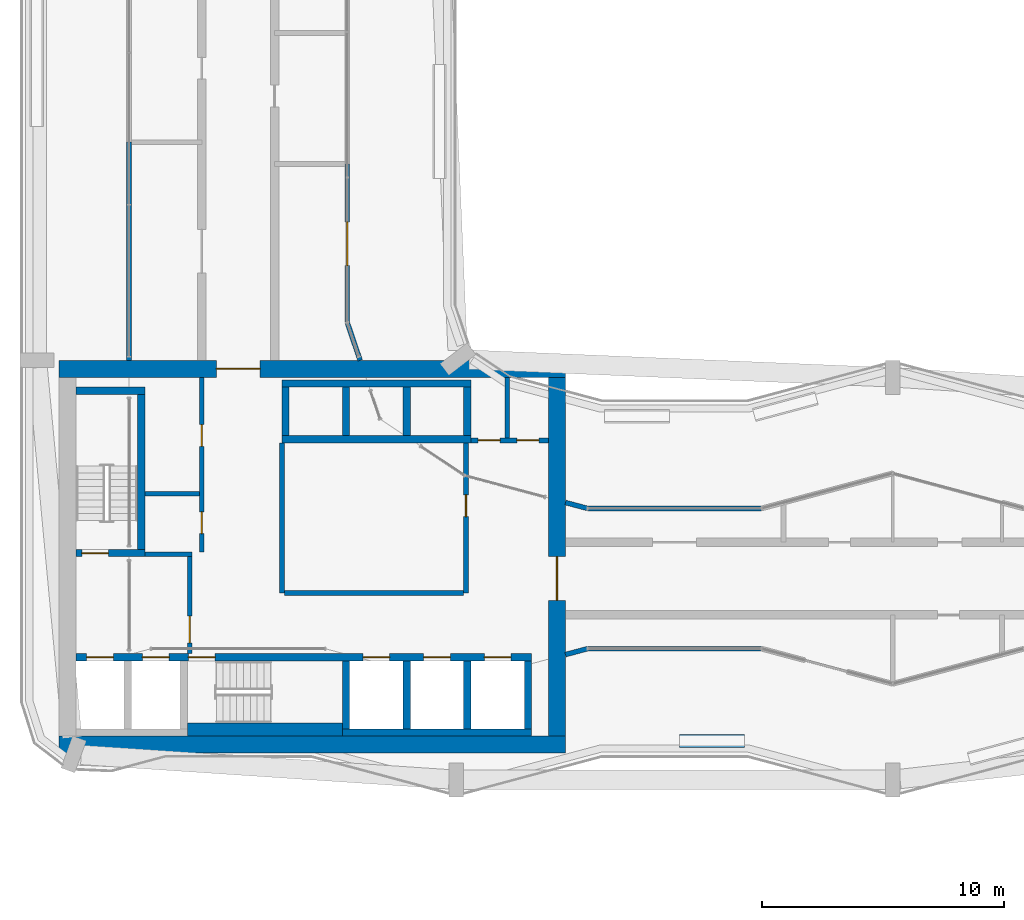
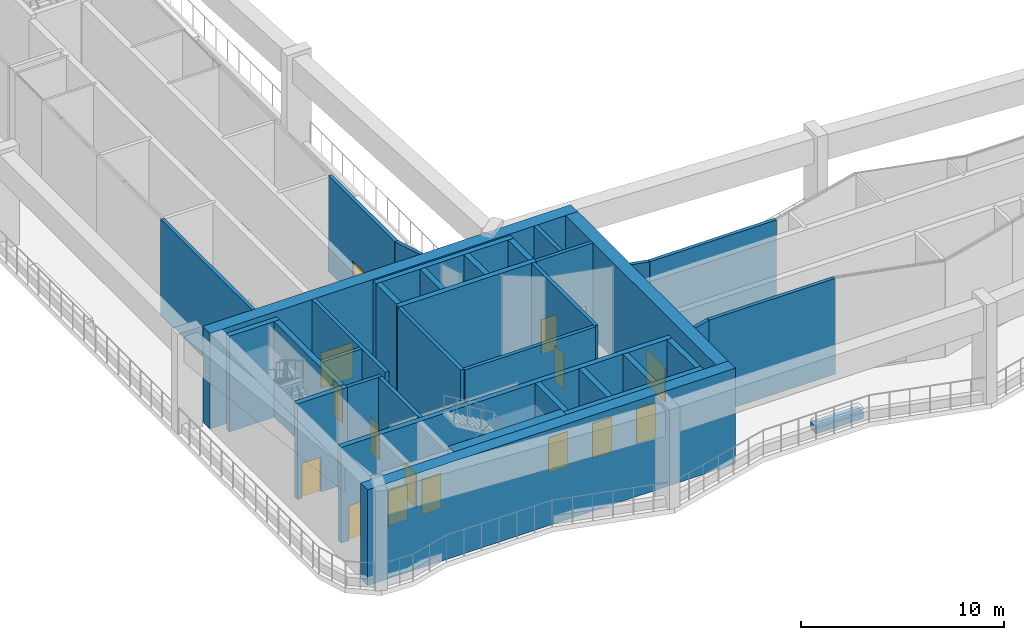
# One storey, part 14 of 24: 36 walls, 16 doors, 16 openings.
"""IFC4 building model written with IfcOpenShell, lengths in metres."""

from ifc_helpers import new_model, si_unit, direction, frame, frame_2d, origin, place, context, subcontext, project, spatial, rectangle, extrude, material, layer, layer_set, type_object, element, fill, save


model = new_model("IFC4")

# Units and contexts
model_context = context("Model", 3, precision=1e-05, world=origin(), true_north=direction((0.0, 1.0)))
body_context = subcontext(model_context, "Body", "Model", "MODEL_VIEW")
ifc_project = project(units=[si_unit("LENGTHUNIT", "METRE"), si_unit("AREAUNIT", "SQUARE_METRE"), si_unit("VOLUMEUNIT", "CUBIC_METRE"), si_unit("PLANEANGLEUNIT", "RADIAN"), si_unit("MASSUNIT", "GRAM", prefix="KILO")], contexts=[model_context])

# Site, building, storey
site_placement = place(None, origin())
site = spatial("IfcSite", under=ifc_project, at=site_placement, CompositionType="ELEMENT")
building_placement = place(site_placement, origin())
building = spatial("IfcBuilding", under=site, at=building_placement, Name="Plateau Cross Towers", CompositionType="ELEMENT")
storey_placement = place(building_placement, frame((0.0, 0.0, 72.300048828125)))
storey = spatial("IfcBuildingStorey", under=building, at=storey_placement, Name="L18", CompositionType="ELEMENT", Elevation=72.300048828125)

# Wall, opening, door
ifc_material_1 = material(Name="Concrete block, plastered both sides", Category="concrete")
ifc_layer_1 = layer(ifc_material_1, 0.199951171875)
ifc_layer_set_1 = layer_set([ifc_layer_1], Name="Concrete block, plastered both sides")
wall_type_1 = type_object("IfcWallType", Name="Core partition 200", PredefinedType="PARTITIONING", material=ifc_layer_set_1)
wall_1_placement = place(storey_placement, frame((7.0, 5.89990234375, 0.0), z_axis=(0.0, 0.0, 1.0), x_axis=(0.0, 1.0, 0.0)))
wall_1 = element("IfcWall", 1, at=wall_1_placement, inside=storey, type_object=wall_type_1, Name="Core partition", PredefinedType="PARTITIONING", context=body_context, shape_type="SweptSolid", body=[
    extrude(rectangle(XDim=4.0, YDim=0.199951171875, at=frame_2d((2.0, 0.0))), origin(), (0.0, 0.0, 1.0), 5.75),
])
opening_1_placement = place(wall_1_placement, frame((0.449951171875, 0.0, 0.0)))
opening_1 = element("IfcOpeningElement", 2, at=opening_1_placement, cuts=wall_1, Name="Opening FFD", PredefinedType="OPENING", context=body_context, shape_type="SweptSolid", body=[
    extrude(rectangle(XDim=1.10009765625, YDim=2.10009765625, at=frame_2d((0.550048828125, 1.050048828125))), frame((0.0, 0.10986328125, 0.0), z_axis=(0.0, -1.0, 0.0), x_axis=(1.0, 0.0, 0.0)), (0.0, 0.0, 1.0), 0.219970703125),
])
ifc_material_2 = material(Name="Steel, fire-resisting leaf", Category="steel")
door_type_1 = type_object("IfcDoorType", Name="Firefighting lobby door 1100", OperationType="NOTDEFINED", PredefinedType="DOOR", material=ifc_material_2)
door_1_placement = place(opening_1_placement, origin())
door_1 = element("IfcDoor", 3, at=door_1_placement, inside=storey, type_object=door_type_1, Name="Firefighting lobby door FFD", OperationType="SINGLE_SWING_LEFT", OverallHeight=2.10009765625, OverallWidth=1.10009765625, PredefinedType="DOOR", context=body_context, shape_type="SweptSolid", body=[
    extrude(rectangle(XDim=1.10009765625, YDim=2.10009765625, at=frame_2d((0.550048828125, 1.050048828125))), frame((0.0, 0.02490234375, 0.0), z_axis=(0.0, -1.0, 0.0), x_axis=(1.0, 0.0, 0.0)), (0.0, 0.0, 1.0), 0.050048828125),
])
fill(opening_1, door_1)

# Walls
wall_2_placement = place(storey_placement, frame((5.14990234375, 10.0, 0.0), z_axis=(0.0, 0.0, 1.0), x_axis=(1.0, 0.0, 0.0)))
element("IfcWall", 4, at=wall_2_placement, inside=storey, type_object=wall_type_1, Name="Core partition", PredefinedType="PARTITIONING", context=body_context, shape_type="SweptSolid", body=[
    extrude(rectangle(XDim=1.9501953125, YDim=0.199951171875, at=frame_2d((0.97509765625, 0.0))), origin(), (0.0, 0.0, 1.0), 5.75),
])
wall_3_placement = place(storey_placement, frame((10.800048828125, 8.39990234375, 0.0), z_axis=(0.0, 0.0, 1.0), x_axis=(0.0, 1.0, 0.0)))
element("IfcWall", 5, at=wall_3_placement, inside=storey, type_object=wall_type_1, Name="Core partition", PredefinedType="PARTITIONING", context=body_context, shape_type="SweptSolid", body=[
    extrude(rectangle(XDim=6.2001953125, YDim=0.199951171875, at=frame_2d((3.10009765625, 0.0))), origin(), (0.0, 0.0, 1.0), 5.75),
])
wall_4_placement = place(storey_placement, frame((10.89990234375, 8.39990234375, 0.0), z_axis=(0.0, 0.0, 1.0), x_axis=(1.0, 0.0, 0.0)))
element("IfcWall", 6, at=wall_4_placement, inside=storey, type_object=wall_type_1, Name="Core partition", PredefinedType="PARTITIONING", context=body_context, shape_type="SweptSolid", body=[
    extrude(rectangle(XDim=7.400146484375, YDim=0.199951171875, at=frame_2d((3.7001953125, 0.0))), origin(), (0.0, 0.0, 1.0), 5.75),
])

# Wall, opening, door
wall_5_placement = place(storey_placement, frame((18.39990234375, 8.39990234375, 0.0), z_axis=(0.0, 0.0, 1.0), x_axis=(0.0, 1.0, 0.0)))
wall_5 = element("IfcWall", 7, at=wall_5_placement, inside=storey, type_object=wall_type_1, Name="Core partition", PredefinedType="PARTITIONING", context=body_context, shape_type="SweptSolid", body=[
    extrude(rectangle(XDim=6.2001953125, YDim=0.199951171875, at=frame_2d((3.10009765625, 0.0))), origin(), (0.0, 0.0, 1.0), 5.75),
])
opening_2_placement = place(wall_5_placement, frame((3.14990234375, 0.0, 0.0)))
opening_2 = element("IfcOpeningElement", 8, at=opening_2_placement, cuts=wall_5, Name="Opening RD1", PredefinedType="OPENING", context=body_context, shape_type="SweptSolid", body=[
    extrude(rectangle(XDim=0.89990234375, YDim=2.10009765625, at=frame_2d((0.449951171875, 1.050048828125))), frame((0.0, 0.10986328125, 0.0), z_axis=(0.0, -1.0, 0.0), x_axis=(1.0, 0.0, 0.0)), (0.0, 0.0, 1.0), 0.219970703125),
])
ifc_material_3 = material(Name="Timber, fire-resisting leaf", Category="wood")
door_type_2 = type_object("IfcDoorType", Name="Core service door 900", OperationType="NOTDEFINED", PredefinedType="DOOR", material=ifc_material_3)
door_2_placement = place(opening_2_placement, origin())
door_2 = element("IfcDoor", 9, at=door_2_placement, inside=storey, type_object=door_type_2, Name="Core service door RD1", OperationType="SINGLE_SWING_LEFT", OverallHeight=2.10009765625, OverallWidth=0.89990234375, PredefinedType="DOOR", context=body_context, shape_type="SweptSolid", body=[
    extrude(rectangle(XDim=0.89990234375, YDim=2.10009765625, at=frame_2d((0.449951171875, 1.050048828125))), frame((0.0, 0.02490234375, 0.0), z_axis=(0.0, -1.0, 0.0), x_axis=(1.0, 0.0, 0.0)), (0.0, 0.0, 1.0), 0.050048828125),
])
fill(opening_2, door_2)

# Wall, openings, doors
wall_6_placement = place(storey_placement, frame((7.5, 10.10009765625, 0.0), z_axis=(0.0, 0.0, 1.0), x_axis=(0.0, 1.0, 0.0)))
wall_6 = element("IfcWall", 10, at=wall_6_placement, inside=storey, type_object=wall_type_1, Name="Core partition", PredefinedType="PARTITIONING", context=body_context, shape_type="SweptSolid", body=[
    extrude(rectangle(XDim=7.199951171875, YDim=0.199951171875, at=frame_2d((3.60009765625, 0.0))), origin(), (0.0, 0.0, 1.0), 5.75),
])
opening_3_placement = place(wall_6_placement, frame((0.75, 0.0, 0.0)))
opening_3 = element("IfcOpeningElement", 11, at=opening_3_placement, cuts=wall_6, Name="Opening RD1", PredefinedType="OPENING", context=body_context, shape_type="SweptSolid", body=[
    extrude(rectangle(XDim=0.89990234375, YDim=2.10009765625, at=frame_2d((0.449951171875, 1.050048828125))), frame((0.0, 0.10986328125, 0.0), z_axis=(0.0, -1.0, 0.0), x_axis=(1.0, 0.0, 0.0)), (0.0, 0.0, 1.0), 0.219970703125),
])
opening_4_placement = place(wall_6_placement, frame((4.35009765625, 0.0, 0.0)))
opening_4 = element("IfcOpeningElement", 12, at=opening_4_placement, cuts=wall_6, Name="Opening RD1", PredefinedType="OPENING", context=body_context, shape_type="SweptSolid", body=[
    extrude(rectangle(XDim=0.89990234375, YDim=2.10009765625, at=frame_2d((0.449951171875, 1.050048828125))), frame((0.0, 0.10986328125, 0.0), z_axis=(0.0, -1.0, 0.0), x_axis=(1.0, 0.0, 0.0)), (0.0, 0.0, 1.0), 0.219970703125),
])
door_3_placement = place(opening_3_placement, origin())
door_3 = element("IfcDoor", 13, at=door_3_placement, inside=storey, type_object=door_type_2, Name="Core service door RD1", OperationType="SINGLE_SWING_RIGHT", OverallHeight=2.10009765625, OverallWidth=0.89990234375, PredefinedType="DOOR", context=body_context, shape_type="SweptSolid", body=[
    extrude(rectangle(XDim=0.89990234375, YDim=2.10009765625, at=frame_2d((0.449951171875, 1.050048828125))), frame((0.0, 0.02490234375, 0.0), z_axis=(0.0, -1.0, 0.0), x_axis=(1.0, 0.0, 0.0)), (0.0, 0.0, 1.0), 0.050048828125),
])
fill(opening_3, door_3)
door_4_placement = place(opening_4_placement, origin())
door_4 = element("IfcDoor", 14, at=door_4_placement, inside=storey, type_object=door_type_2, Name="Core service door RD1", OperationType="SINGLE_SWING_RIGHT", OverallHeight=2.10009765625, OverallWidth=0.89990234375, PredefinedType="DOOR", context=body_context, shape_type="SweptSolid", body=[
    extrude(rectangle(XDim=0.89990234375, YDim=2.10009765625, at=frame_2d((0.449951171875, 1.050048828125))), frame((0.0, 0.02490234375, 0.0), z_axis=(0.0, -1.0, 0.0), x_axis=(1.0, 0.0, 0.0)), (0.0, 0.0, 1.0), 0.050048828125),
])
fill(opening_4, door_4)

# Wall
wall_7_placement = place(storey_placement, frame((5.14990234375, 12.5, 0.0), z_axis=(0.0, 0.0, 1.0), x_axis=(1.0, 0.0, 0.0)))
element("IfcWall", 15, at=wall_7_placement, inside=storey, type_object=wall_type_1, Name="Core partition", PredefinedType="PARTITIONING", context=body_context, shape_type="SweptSolid", body=[
    extrude(rectangle(XDim=2.25, YDim=0.199951171875, at=frame_2d((1.125, 0.0))), origin(), (0.0, 0.0, 1.0), 5.75),
])

# Wall, openings, doors
wall_8_placement = place(storey_placement, frame((18.60009765625, 14.699951171875, 0.0), z_axis=(0.0, 0.0, 1.0), x_axis=(1.0, 0.0, 0.0)))
wall_8 = element("IfcWall", 16, at=wall_8_placement, inside=storey, type_object=wall_type_1, Name="Core partition", PredefinedType="PARTITIONING", context=body_context, shape_type="SweptSolid", body=[
    extrude(rectangle(XDim=3.199951171875, YDim=0.199951171875, at=frame_2d((1.60009765625, 0.0))), origin(), (0.0, 0.0, 1.0), 5.75),
])
opening_5_placement = place(wall_8_placement, frame((0.300048828125, 0.0, 0.0)))
opening_5 = element("IfcOpeningElement", 17, at=opening_5_placement, cuts=wall_8, Name="Opening RD2", PredefinedType="OPENING", context=body_context, shape_type="SweptSolid", body=[
    extrude(rectangle(XDim=0.89990234375, YDim=2.10009765625, at=frame_2d((0.449951171875, 1.050048828125))), frame((0.0, 0.10986328125, 0.0), z_axis=(0.0, -1.0, 0.0), x_axis=(1.0, 0.0, 0.0)), (0.0, 0.0, 1.0), 0.219970703125),
])
opening_6_placement = place(wall_8_placement, frame((1.89990234375, 0.0, 0.0)))
opening_6 = element("IfcOpeningElement", 18, at=opening_6_placement, cuts=wall_8, Name="Opening RD2", PredefinedType="OPENING", context=body_context, shape_type="SweptSolid", body=[
    extrude(rectangle(XDim=0.89990234375, YDim=2.10009765625, at=frame_2d((0.449951171875, 1.050048828125))), frame((0.0, 0.10986328125, 0.0), z_axis=(0.0, -1.0, 0.0), x_axis=(1.0, 0.0, 0.0)), (0.0, 0.0, 1.0), 0.219970703125),
])
door_type_3 = type_object("IfcDoorType", Name="Core riser door 900", OperationType="NOTDEFINED", PredefinedType="DOOR", material=ifc_material_2)
door_5_placement = place(opening_5_placement, origin())
door_5 = element("IfcDoor", 19, at=door_5_placement, inside=storey, type_object=door_type_3, Name="Core riser door RD2", OperationType="SINGLE_SWING_LEFT", OverallHeight=2.10009765625, OverallWidth=0.89990234375, PredefinedType="DOOR", context=body_context, shape_type="SweptSolid", body=[
    extrude(rectangle(XDim=0.89990234375, YDim=2.10009765625, at=frame_2d((0.449951171875, 1.050048828125))), frame((0.0, 0.02490234375, 0.0), z_axis=(0.0, -1.0, 0.0), x_axis=(1.0, 0.0, 0.0)), (0.0, 0.0, 1.0), 0.050048828125),
])
fill(opening_5, door_5)
door_6_placement = place(opening_6_placement, origin())
door_6 = element("IfcDoor", 20, at=door_6_placement, inside=storey, type_object=door_type_3, Name="Core riser door RD2", OperationType="SINGLE_SWING_LEFT", OverallHeight=2.10009765625, OverallWidth=0.89990234375, PredefinedType="DOOR", context=body_context, shape_type="SweptSolid", body=[
    extrude(rectangle(XDim=0.89990234375, YDim=2.10009765625, at=frame_2d((0.449951171875, 1.050048828125))), frame((0.0, 0.02490234375, 0.0), z_axis=(0.0, -1.0, 0.0), x_axis=(1.0, 0.0, 0.0)), (0.0, 0.0, 1.0), 0.050048828125),
])
fill(opening_6, door_6)

# Walls
wall_9_placement = place(storey_placement, frame((20.10009765625, 14.800048828125, 0.0), z_axis=(0.0, 0.0, 1.0), x_axis=(0.0, 1.0, 0.0)))
element("IfcWall", 21, at=wall_9_placement, inside=storey, type_object=wall_type_1, Name="Core partition", PredefinedType="PARTITIONING", context=body_context, shape_type="SweptSolid", body=[
    extrude(rectangle(XDim=2.5, YDim=0.199951171875, at=frame_2d((1.25, 0.0))), origin(), (0.0, 0.0, 1.0), 5.75),
])
ifc_material_4 = material(Name="Concrete C60/75", Category="concrete")
ifc_layer_2 = layer(ifc_material_4, 0.300048828125)
ifc_layer_set_2 = layer_set([ifc_layer_2], Name="Concrete C60/75")
wall_type_2 = type_object("IfcWallType", Name="Core shaft wall 300", PredefinedType="SHEAR", material=ifc_layer_set_2)
wall_10_placement = place(storey_placement, frame((13.300048828125, 2.64990234375, 0.0), z_axis=(0.0, 0.0, 1.0), x_axis=(1.0, 0.0, 0.0)))
element("IfcWall", 22, at=wall_10_placement, inside=storey, type_object=wall_type_2, Name="A-sb-back3@L18", PredefinedType="SHEAR", context=body_context, shape_type="SweptSolid", body=[
    extrude(rectangle(XDim=7.800048828125, YDim=0.300048828125, at=frame_2d((3.89990234375, 0.0))), origin(), (0.0, 0.0, 1.0), 5.75),
])
for number, where, z_axis, x_axis, name in (
    (23, (13.449951171875, 2.800048828125, 0.0), (0.0, 0.0, 1.0), (0.0, 1.0, 0.0), "A-sb-v3@L18"),
    (24, (15.949951171875, 2.800048828125, 0.0), (0.0, 0.0, 1.0), (0.0, 1.0, 0.0), "A-sb-v4@L18"),
    (25, (18.449951171875, 2.800048828125, 0.0), (0.0, 0.0, 1.0), (0.0, 1.0, 0.0), "A-sb-v5@L18"),
    (26, (20.949951171875, 2.800048828125, 0.0), (0.0, 0.0, 1.0), (0.0, 1.0, 0.0), "A-sb-v6@L18"),
):
    element("IfcWall", number, at=place(storey_placement, frame(where, z_axis=z_axis, x_axis=x_axis)), inside=storey, type_object=wall_type_2, Name=name, PredefinedType="SHEAR", context=body_context, shape_type="SweptSolid", body=[
        extrude(rectangle(XDim=2.800048828125, YDim=0.300048828125, at=frame_2d((1.39990234375, 0.0))), origin(), (0.0, 0.0, 1.0), 5.75),
    ])

# Wall, openings, doors
wall_11_placement = place(storey_placement, frame((2.300048828125, 5.75, 0.0), z_axis=(0.0, 0.0, 1.0), x_axis=(1.0, 0.0, 0.0)))
wall_11 = element("IfcWall", 27, at=wall_11_placement, inside=storey, type_object=wall_type_2, Name="A-sb-front@L18", PredefinedType="SHEAR", context=body_context, shape_type="SweptSolid", body=[
    extrude(rectangle(XDim=18.800048828125, YDim=0.300048828125, at=frame_2d((9.39990234375, 0.0))), origin(), (0.0, 0.0, 1.0), 5.75),
])
opening_7_placement = place(wall_11_placement, frame((4.64990234375, 0.0, 0.0)))
opening_7 = element("IfcOpeningElement", 28, at=opening_7_placement, cuts=wall_11, Name="Opening SD", PredefinedType="OPENING", context=body_context, shape_type="SweptSolid", body=[
    extrude(rectangle(XDim=1.10009765625, YDim=2.10009765625, at=frame_2d((0.550048828125, 1.050048828125))), frame((0.0, 0.159912109375, 0.0), z_axis=(0.0, -1.0, 0.0), x_axis=(1.0, 0.0, 0.0)), (0.0, 0.0, 1.0), 0.320068359375),
])
opening_8_placement = place(wall_11_placement, frame((0.449951171875, 0.0, 0.0)))
opening_8 = element("IfcOpeningElement", 29, at=opening_8_placement, cuts=wall_11, Name="Opening LD", PredefinedType="OPENING", context=body_context, shape_type="SweptSolid", body=[
    extrude(rectangle(XDim=1.10009765625, YDim=2.10009765625, at=frame_2d((0.550048828125, 1.050048828125))), frame((0.0, 0.159912109375, 0.0), z_axis=(0.0, -1.0, 0.0), x_axis=(1.0, 0.0, 0.0)), (0.0, 0.0, 1.0), 0.320068359375),
])
opening_9_placement = place(wall_11_placement, frame((2.75, 0.0, 0.0)))
opening_9 = element("IfcOpeningElement", 30, at=opening_9_placement, cuts=wall_11, Name="Opening LD", PredefinedType="OPENING", context=body_context, shape_type="SweptSolid", body=[
    extrude(rectangle(XDim=1.10009765625, YDim=2.10009765625, at=frame_2d((0.550048828125, 1.050048828125))), frame((0.0, 0.159912109375, 0.0), z_axis=(0.0, -1.0, 0.0), x_axis=(1.0, 0.0, 0.0)), (0.0, 0.0, 1.0), 0.320068359375),
])
opening_10_placement = place(wall_11_placement, frame((11.85009765625, 0.0, 0.0)))
opening_10 = element("IfcOpeningElement", 31, at=opening_10_placement, cuts=wall_11, Name="Opening LD", PredefinedType="OPENING", context=body_context, shape_type="SweptSolid", body=[
    extrude(rectangle(XDim=1.10009765625, YDim=2.10009765625, at=frame_2d((0.550048828125, 1.050048828125))), frame((0.0, 0.159912109375, 0.0), z_axis=(0.0, -1.0, 0.0), x_axis=(1.0, 0.0, 0.0)), (0.0, 0.0, 1.0), 0.320068359375),
])
opening_11_placement = place(wall_11_placement, frame((14.35009765625, 0.0, 0.0)))
opening_11 = element("IfcOpeningElement", 32, at=opening_11_placement, cuts=wall_11, Name="Opening LD", PredefinedType="OPENING", context=body_context, shape_type="SweptSolid", body=[
    extrude(rectangle(XDim=1.10009765625, YDim=2.10009765625, at=frame_2d((0.550048828125, 1.050048828125))), frame((0.0, 0.159912109375, 0.0), z_axis=(0.0, -1.0, 0.0), x_axis=(1.0, 0.0, 0.0)), (0.0, 0.0, 1.0), 0.320068359375),
])
opening_12_placement = place(wall_11_placement, frame((16.85009765625, 0.0, 0.0)))
opening_12 = element("IfcOpeningElement", 33, at=opening_12_placement, cuts=wall_11, Name="Opening LD", PredefinedType="OPENING", context=body_context, shape_type="SweptSolid", body=[
    extrude(rectangle(XDim=1.10009765625, YDim=2.10009765625, at=frame_2d((0.550048828125, 1.050048828125))), frame((0.0, 0.159912109375, 0.0), z_axis=(0.0, -1.0, 0.0), x_axis=(1.0, 0.0, 0.0)), (0.0, 0.0, 1.0), 0.320068359375),
])
ifc_material_5 = material(Name="Stainless steel, fire-resisting sliding leaves", Category="steel")
door_type_4 = type_object("IfcDoorType", Name="Lift landing door 1100", OperationType="NOTDEFINED", PredefinedType="DOOR", material=ifc_material_5)
door_7_placement = place(opening_8_placement, origin())
door_7 = element("IfcDoor", 34, at=door_7_placement, inside=storey, type_object=door_type_4, Name="Lift landing door LD", OperationType="DOUBLE_DOOR_SLIDING", OverallHeight=2.10009765625, OverallWidth=1.10009765625, PredefinedType="DOOR", context=body_context, shape_type="SweptSolid", body=[
    extrude(rectangle(XDim=1.10009765625, YDim=2.10009765625, at=frame_2d((0.550048828125, 1.050048828125))), frame((0.0, 0.02490234375, 0.0), z_axis=(0.0, -1.0, 0.0), x_axis=(1.0, 0.0, 0.0)), (0.0, 0.0, 1.0), 0.050048828125),
])
fill(opening_8, door_7)
door_8_placement = place(opening_9_placement, origin())
door_8 = element("IfcDoor", 35, at=door_8_placement, inside=storey, type_object=door_type_4, Name="Lift landing door LD", OperationType="DOUBLE_DOOR_SLIDING", OverallHeight=2.10009765625, OverallWidth=1.10009765625, PredefinedType="DOOR", context=body_context, shape_type="SweptSolid", body=[
    extrude(rectangle(XDim=1.10009765625, YDim=2.10009765625, at=frame_2d((0.550048828125, 1.050048828125))), frame((0.0, 0.02490234375, 0.0), z_axis=(0.0, -1.0, 0.0), x_axis=(1.0, 0.0, 0.0)), (0.0, 0.0, 1.0), 0.050048828125),
])
fill(opening_9, door_8)
door_9_placement = place(opening_10_placement, origin())
door_9 = element("IfcDoor", 36, at=door_9_placement, inside=storey, type_object=door_type_4, Name="Lift landing door LD", OperationType="DOUBLE_DOOR_SLIDING", OverallHeight=2.10009765625, OverallWidth=1.10009765625, PredefinedType="DOOR", context=body_context, shape_type="SweptSolid", body=[
    extrude(rectangle(XDim=1.10009765625, YDim=2.10009765625, at=frame_2d((0.550048828125, 1.050048828125))), frame((0.0, 0.02490234375, 0.0), z_axis=(0.0, -1.0, 0.0), x_axis=(1.0, 0.0, 0.0)), (0.0, 0.0, 1.0), 0.050048828125),
])
fill(opening_10, door_9)
door_10_placement = place(opening_11_placement, origin())
door_10 = element("IfcDoor", 37, at=door_10_placement, inside=storey, type_object=door_type_4, Name="Lift landing door LD", OperationType="DOUBLE_DOOR_SLIDING", OverallHeight=2.10009765625, OverallWidth=1.10009765625, PredefinedType="DOOR", context=body_context, shape_type="SweptSolid", body=[
    extrude(rectangle(XDim=1.10009765625, YDim=2.10009765625, at=frame_2d((0.550048828125, 1.050048828125))), frame((0.0, 0.02490234375, 0.0), z_axis=(0.0, -1.0, 0.0), x_axis=(1.0, 0.0, 0.0)), (0.0, 0.0, 1.0), 0.050048828125),
])
fill(opening_11, door_10)
door_11_placement = place(opening_12_placement, origin())
door_11 = element("IfcDoor", 38, at=door_11_placement, inside=storey, type_object=door_type_4, Name="Lift landing door LD", OperationType="DOUBLE_DOOR_SLIDING", OverallHeight=2.10009765625, OverallWidth=1.10009765625, PredefinedType="DOOR", context=body_context, shape_type="SweptSolid", body=[
    extrude(rectangle(XDim=1.10009765625, YDim=2.10009765625, at=frame_2d((0.550048828125, 1.050048828125))), frame((0.0, 0.02490234375, 0.0), z_axis=(0.0, -1.0, 0.0), x_axis=(1.0, 0.0, 0.0)), (0.0, 0.0, 1.0), 0.050048828125),
])
fill(opening_12, door_11)
door_type_5 = type_object("IfcDoorType", Name="Stair door 1100", OperationType="NOTDEFINED", PredefinedType="DOOR", material=ifc_material_2)
door_12_placement = place(opening_7_placement, origin())
door_12 = element("IfcDoor", 39, at=door_12_placement, inside=storey, type_object=door_type_5, Name="Stair door SD", OperationType="SINGLE_SWING_LEFT", OverallHeight=2.10009765625, OverallWidth=1.10009765625, PredefinedType="DOOR", context=body_context, shape_type="SweptSolid", body=[
    extrude(rectangle(XDim=1.10009765625, YDim=2.10009765625, at=frame_2d((0.550048828125, 1.050048828125))), frame((0.0, 0.02490234375, 0.0), z_axis=(0.0, -1.0, 0.0), x_axis=(1.0, 0.0, 0.0)), (0.0, 0.0, 1.0), 0.050048828125),
])
fill(opening_7, door_12)

# Wall, opening, door
wall_12_placement = place(storey_placement, frame((2.300048828125, 10.050048828125, 0.0), z_axis=(0.0, 0.0, 1.0), x_axis=(1.0, 0.0, 0.0)))
wall_12 = element("IfcWall", 40, at=wall_12_placement, inside=storey, type_object=wall_type_2, Name="A-st1-S@L18", PredefinedType="SHEAR", context=body_context, shape_type="SweptSolid", body=[
    extrude(rectangle(XDim=2.849853515625, YDim=0.300048828125, at=frame_2d((1.4248046875, 0.0))), origin(), (0.0, 0.0, 1.0), 5.75),
])
opening_13_placement = place(wall_12_placement, frame((0.25, 0.0, 0.0)))
opening_13 = element("IfcOpeningElement", 41, at=opening_13_placement, cuts=wall_12, Name="Opening SD", PredefinedType="OPENING", context=body_context, shape_type="SweptSolid", body=[
    extrude(rectangle(XDim=1.10009765625, YDim=2.10009765625, at=frame_2d((0.550048828125, 1.050048828125))), frame((0.0, 0.159912109375, 0.0), z_axis=(0.0, -1.0, 0.0), x_axis=(1.0, 0.0, 0.0)), (0.0, 0.0, 1.0), 0.320068359375),
])
door_13_placement = place(opening_13_placement, origin())
door_13 = element("IfcDoor", 42, at=door_13_placement, inside=storey, type_object=door_type_5, Name="Stair door SD", OperationType="SINGLE_SWING_RIGHT", OverallHeight=2.10009765625, OverallWidth=1.10009765625, PredefinedType="DOOR", context=body_context, shape_type="SweptSolid", body=[
    extrude(rectangle(XDim=1.10009765625, YDim=2.10009765625, at=frame_2d((0.550048828125, 1.050048828125))), frame((0.0, 0.02490234375, 0.0), z_axis=(0.0, -1.0, 0.0), x_axis=(1.0, 0.0, 0.0)), (0.0, 0.0, 1.0), 0.050048828125),
])
fill(opening_13, door_13)

# Walls
wall_13_placement = place(storey_placement, frame((5.0, 10.199951171875, 0.0), z_axis=(0.0, 0.0, 1.0), x_axis=(0.0, 1.0, 0.0)))
element("IfcWall", 43, at=wall_13_placement, inside=storey, type_object=wall_type_2, Name="A-st1-E@L18", PredefinedType="SHEAR", context=body_context, shape_type="SweptSolid", body=[
    extrude(rectangle(XDim=6.400146484375, YDim=0.300048828125, at=frame_2d((3.2001953125, 0.0))), origin(), (0.0, 0.0, 1.0), 5.75),
])
wall_14_placement = place(storey_placement, frame((2.300048828125, 16.75, 0.0), z_axis=(0.0, 0.0, 1.0), x_axis=(1.0, 0.0, 0.0)))
element("IfcWall", 44, at=wall_14_placement, inside=storey, type_object=wall_type_2, Name="A-st1-N@L18", PredefinedType="SHEAR", context=body_context, shape_type="SweptSolid", body=[
    extrude(rectangle(XDim=2.849853515625, YDim=0.300048828125, at=frame_2d((1.4248046875, 0.0))), origin(), (0.0, 0.0, 1.0), 5.75),
])
for number, where, z_axis, x_axis, name in (
    (45, (10.800048828125, 17.050048828125, 0.0), (0.0, 0.0, 1.0), (1.0, 0.0, 0.0), "A-nb-back@L18"),
    (46, (10.800048828125, 14.75, 0.0), (0.0, 0.0, 1.0), (1.0, 0.0, 0.0), "A-nb-front@L18"),
):
    element("IfcWall", number, at=place(storey_placement, frame(where, z_axis=z_axis, x_axis=x_axis)), inside=storey, type_object=wall_type_2, Name=name, PredefinedType="SHEAR", context=body_context, shape_type="SweptSolid", body=[
        extrude(rectangle(XDim=7.800048828125, YDim=0.300048828125, at=frame_2d((3.89990234375, 0.0))), origin(), (0.0, 0.0, 1.0), 5.75),
    ])
for number, where, z_axis, x_axis, name in (
    (47, (10.949951171875, 14.89990234375, 0.0), (0.0, 0.0, 1.0), (0.0, 1.0, 0.0), "A-nb-v1@L18"),
    (48, (13.449951171875, 14.89990234375, 0.0), (0.0, 0.0, 1.0), (0.0, 1.0, 0.0), "A-nb-v2@L18"),
    (49, (15.949951171875, 14.89990234375, 0.0), (0.0, 0.0, 1.0), (0.0, 1.0, 0.0), "A-nb-v3@L18"),
    (50, (18.449951171875, 14.89990234375, 0.0), (0.0, 0.0, 1.0), (0.0, 1.0, 0.0), "A-nb-v4@L18"),
):
    element("IfcWall", number, at=place(storey_placement, frame(where, z_axis=z_axis, x_axis=x_axis)), inside=storey, type_object=wall_type_2, Name=name, PredefinedType="SHEAR", context=body_context, shape_type="SweptSolid", body=[
        extrude(rectangle(XDim=2.0, YDim=0.300048828125, at=frame_2d((1.0, 0.0))), origin(), (0.0, 0.0, 1.0), 5.75),
    ])
ifc_layer_3 = layer(ifc_material_4, 0.550048828125)
ifc_layer_set_3 = layer_set([ifc_layer_3], Name="Concrete C60/75")
wall_type_3 = type_object("IfcWallType", Name="Core shaft wall 550", PredefinedType="SHEAR", material=ifc_layer_set_3)
wall_15_placement = place(storey_placement, frame((6.89990234375, 2.77490234375, 0.0), z_axis=(0.0, 0.0, 1.0), x_axis=(1.0, 0.0, 0.0)))
element("IfcWall", 51, at=wall_15_placement, inside=storey, type_object=wall_type_3, Name="A-sb-back2@L18", PredefinedType="SHEAR", context=body_context, shape_type="SweptSolid", body=[
    extrude(rectangle(XDim=6.400146484375, YDim=0.550048828125, at=frame_2d((3.2001953125, 0.0))), origin(), (0.0, 0.0, 1.0), 5.75),
])
ifc_layer_4 = layer(ifc_material_4, 0.699951171875)
ifc_layer_set_4 = layer_set([ifc_layer_4], Name="Concrete C60/75")
wall_type_4 = type_object("IfcWallType", Name="Core shell wall 700", PredefinedType="SHEAR", material=ifc_layer_set_4)
wall_16_placement = place(storey_placement, frame((1.60009765625, 2.14990234375, 0.0), z_axis=(0.0, 0.0, 1.0), x_axis=(1.0, 0.0, 0.0)))
element("IfcWall", 52, at=wall_16_placement, inside=storey, type_object=wall_type_4, Name="A-core-S@L18", PredefinedType="SHEAR", context=body_context, shape_type="SweptSolid", body=[
    extrude(rectangle(XDim=20.89990234375, YDim=0.699951171875, at=frame_2d((10.449951171875, 0.0))), origin(), (0.0, 0.0, 1.0), 5.75),
])

# Wall, opening, door
wall_17_placement = place(storey_placement, frame((1.60009765625, 17.64990234375, 0.0), z_axis=(0.0, 0.0, 1.0), x_axis=(1.0, 0.0, 0.0)))
wall_17 = element("IfcWall", 53, at=wall_17_placement, inside=storey, type_object=wall_type_4, Name="A-core-N@L18", PredefinedType="SHEAR", context=body_context, shape_type="SweptSolid", body=[
    extrude(rectangle(XDim=20.89990234375, YDim=0.699951171875, at=frame_2d((10.449951171875, 0.0))), origin(), (0.0, 0.0, 1.0), 5.75),
])
opening_14_placement = place(wall_17_placement, frame((6.5, 0.0, 0.0)))
opening_14 = element("IfcOpeningElement", 54, at=opening_14_placement, cuts=wall_17, Name="Opening CD", PredefinedType="OPENING", context=body_context, shape_type="SweptSolid", body=[
    extrude(rectangle(XDim=1.800048828125, YDim=2.10009765625, at=frame_2d((0.89990234375, 1.050048828125))), frame((0.0, 0.35986328125, 0.0), z_axis=(0.0, -1.0, 0.0), x_axis=(1.0, 0.0, 0.0)), (0.0, 0.0, 1.0), 0.719970703125),
])
ifc_material_6 = material(Name="Steel, fire-resisting leaves", Category="steel")
door_type_6 = type_object("IfcDoorType", Name="Corridor door pair 1800", OperationType="NOTDEFINED", PredefinedType="DOOR", material=ifc_material_6)
door_14_placement = place(opening_14_placement, origin())
door_14 = element("IfcDoor", 55, at=door_14_placement, inside=storey, type_object=door_type_6, Name="Corridor door pair CD", OperationType="DOUBLE_DOOR_SINGLE_SWING", OverallHeight=2.10009765625, OverallWidth=1.800048828125, PredefinedType="DOOR", context=body_context, shape_type="SweptSolid", body=[
    extrude(rectangle(XDim=1.800048828125, YDim=2.10009765625, at=frame_2d((0.89990234375, 1.050048828125))), frame((0.0, 0.02490234375, 0.0), z_axis=(0.0, -1.0, 0.0), x_axis=(1.0, 0.0, 0.0)), (0.0, 0.0, 1.0), 0.050048828125),
])
fill(opening_14, door_14)

wall_18_placement = place(storey_placement, frame((22.14990234375, 2.5, 0.0), z_axis=(0.0, 0.0, 1.0), x_axis=(0.0, 1.0, 0.0)))
wall_18 = element("IfcWall", 56, at=wall_18_placement, inside=storey, type_object=wall_type_4, Name="A-core-E@L18", PredefinedType="SHEAR", context=body_context, shape_type="SweptSolid", body=[
    extrude(rectangle(XDim=14.800048828125, YDim=0.699951171875, at=frame_2d((7.39990234375, 0.0))), origin(), (0.0, 0.0, 1.0), 5.75),
])
opening_15_placement = place(wall_18_placement, frame((5.60009765625, 0.0, 0.0)))
opening_15 = element("IfcOpeningElement", 57, at=opening_15_placement, cuts=wall_18, Name="Opening CD", PredefinedType="OPENING", context=body_context, shape_type="SweptSolid", body=[
    extrude(rectangle(XDim=1.800048828125, YDim=2.10009765625, at=frame_2d((0.89990234375, 1.050048828125))), frame((0.0, 0.35986328125, 0.0), z_axis=(0.0, -1.0, 0.0), x_axis=(1.0, 0.0, 0.0)), (0.0, 0.0, 1.0), 0.719970703125),
])
door_15_placement = place(opening_15_placement, origin())
door_15 = element("IfcDoor", 58, at=door_15_placement, inside=storey, type_object=door_type_6, Name="Corridor door pair CD", OperationType="DOUBLE_DOOR_SINGLE_SWING", OverallHeight=2.10009765625, OverallWidth=1.800048828125, PredefinedType="DOOR", context=body_context, shape_type="SweptSolid", body=[
    extrude(rectangle(XDim=1.800048828125, YDim=2.10009765625, at=frame_2d((0.89990234375, 1.050048828125))), frame((0.0, 0.02490234375, 0.0), z_axis=(0.0, -1.0, 0.0), x_axis=(1.0, 0.0, 0.0)), (0.0, 0.0, 1.0), 0.050048828125),
])
fill(opening_15, door_15)

# Walls
ifc_material_7 = material(Name="Concrete C30/37", Category="concrete")
ifc_layer_5 = layer(ifc_material_7, 0.550048828125)
ifc_layer_set_5 = layer_set([ifc_layer_5], Name="Concrete C30/37")
wall_type_5 = type_object("IfcWallType", Name="Planter upstand 550", PredefinedType="STANDARD", material=ifc_layer_set_5)
wall_19_placement = place(storey_placement, frame((29.891357421875, 2.302001953125, 0.0), z_axis=(0.0, 0.0, 1.0), x_axis=(-1.0, 0.0, 0.0)))
element("IfcWall", 59, at=wall_19_placement, inside=storey, type_object=wall_type_5, Name="Planter 10", PredefinedType="STANDARD", context=body_context, shape_type="SweptSolid", body=[
    extrude(rectangle(XDim=2.69140625, YDim=0.550048828125, at=frame_2d((1.345703125, 0.0))), origin(), (0.0, 0.0, 1.0), 0.449951171875),
])
ifc_material_8 = material(Name="Gypsum board on steel studs", Category="steel")
ifc_layer_6 = layer(ifc_material_8, 0.199951171875)
ifc_layer_set_6 = layer_set([ifc_layer_6], Name="Gypsum board on steel studs")
wall_type_6 = type_object("IfcWallType", Name="Podium partition 200", PredefinedType="PARTITIONING", material=ifc_layer_set_6)
wall_20_placement = place(storey_placement, frame((22.5, 5.864013671875, 0.0), z_axis=(0.0, 0.0, 1.0), x_axis=(0.96602336302, 0.258454758323, 0.0)))
element("IfcWall", 60, at=wall_20_placement, inside=storey, type_object=wall_type_6, Name="Partition wall", PredefinedType="PARTITIONING", context=body_context, shape_type="SweptSolid", body=[
    extrude(rectangle(XDim=0.93994140625, YDim=0.199951171875, at=frame_2d((0.469970703125, 0.0))), origin(), (0.0, 0.0, 1.0), 5.75),
])
wall_21_placement = place(storey_placement, frame((23.407958984375, 6.10693359375, 0.0), z_axis=(0.0, 0.0, 1.0), x_axis=(1.0, 0.0, 0.0)))
element("IfcWall", 61, at=wall_21_placement, inside=storey, type_object=wall_type_6, Name="Partition wall", PredefinedType="PARTITIONING", context=body_context, shape_type="SweptSolid", body=[
    extrude(rectangle(XDim=7.18408203125, YDim=0.199951171875, at=frame_2d((3.592041015625, 0.0))), origin(), (0.0, 0.0, 1.0), 5.75),
])
wall_22_placement = place(storey_placement, frame((22.5, 12.135986328125, 0.0), z_axis=(0.0, 0.0, 1.0), x_axis=(0.96602336302, -0.258454758323, 0.0)))
element("IfcWall", 62, at=wall_22_placement, inside=storey, type_object=wall_type_6, Name="Partition wall", PredefinedType="PARTITIONING", context=body_context, shape_type="SweptSolid", body=[
    extrude(rectangle(XDim=0.93994140625, YDim=0.199951171875, at=frame_2d((0.469970703125, 0.0))), origin(), (0.0, 0.0, 1.0), 5.75),
])
wall_23_placement = place(storey_placement, frame((23.407958984375, 11.89306640625, 0.0), z_axis=(0.0, 0.0, 1.0), x_axis=(1.0, 0.0, 0.0)))
element("IfcWall", 63, at=wall_23_placement, inside=storey, type_object=wall_type_6, Name="Partition wall", PredefinedType="PARTITIONING", context=body_context, shape_type="SweptSolid", body=[
    extrude(rectangle(XDim=7.18408203125, YDim=0.199951171875, at=frame_2d((3.592041015625, 0.0))), origin(), (0.0, 0.0, 1.0), 5.75),
])
wall_24_placement = place(storey_placement, frame((4.5, 27.0, 0.0), z_axis=(0.0, 0.0, 1.0), x_axis=(0.0, -1.0, 0.0)))
element("IfcWall", 64, at=wall_24_placement, inside=storey, type_object=wall_type_6, Name="Partition wall", PredefinedType="PARTITIONING", context=body_context, shape_type="SweptSolid", body=[
    extrude(rectangle(XDim=9.0, YDim=0.199951171875, at=frame_2d((4.5, 0.0))), origin(), (0.0, 0.0, 1.0), 5.75),
])
wall_25_placement = place(storey_placement, frame((14.029052734375, 18.0, 0.0), z_axis=(0.0, 0.0, 1.0), x_axis=(-0.32133908787, 0.946964197109, 0.0)))
element("IfcWall", 65, at=wall_25_placement, inside=storey, type_object=wall_type_6, Name="Partition wall", PredefinedType="PARTITIONING", context=body_context, shape_type="SweptSolid", body=[
    extrude(rectangle(XDim=1.646484375, YDim=0.199951171875, at=frame_2d((0.8232421875, 0.0))), origin(), (0.0, 0.0, 1.0), 5.75),
])

# Wall, opening, door
wall_26_placement = place(storey_placement, frame((13.5, 19.55908203125, 0.0), z_axis=(0.0, 0.0, 1.0), x_axis=(0.0, 1.0, 0.0)))
wall_26 = element("IfcWall", 66, at=wall_26_placement, inside=storey, type_object=wall_type_6, Name="Partition wall", PredefinedType="PARTITIONING", context=body_context, shape_type="SweptSolid", body=[
    extrude(rectangle(XDim=6.541015625, YDim=0.199951171875, at=frame_2d((3.2705078125, 0.0))), origin(), (0.0, 0.0, 1.0), 5.75),
])
opening_16_placement = place(wall_26_placement, frame((2.35009765625, 0.0, 0.0)))
opening_16 = element("IfcOpeningElement", 67, at=opening_16_placement, cuts=wall_26, Name="Opening 18-18", PredefinedType="OPENING", context=body_context, shape_type="SweptSolid", body=[
    extrude(rectangle(XDim=1.800048828125, YDim=2.10009765625, at=frame_2d((0.89990234375, 1.050048828125))), frame((0.0, 0.10986328125, 0.0), z_axis=(0.0, -1.0, 0.0), x_axis=(1.0, 0.0, 0.0)), (0.0, 0.0, 1.0), 0.219970703125),
])
ifc_material_9 = material(Name="Aluminium frame, toughened glass", Category="aluminium")
door_type_7 = type_object("IfcDoorType", Name="Podium door pair 1800", OperationType="NOTDEFINED", PredefinedType="DOOR", material=ifc_material_9)
door_16_placement = place(opening_16_placement, origin())
door_16 = element("IfcDoor", 68, at=door_16_placement, inside=storey, type_object=door_type_7, Name="Door 18-18", OperationType="DOUBLE_DOOR_SINGLE_SWING", OverallHeight=2.10009765625, OverallWidth=1.800048828125, PredefinedType="DOOR", context=body_context, shape_type="SweptSolid", body=[
    extrude(rectangle(XDim=1.800048828125, YDim=2.10009765625, at=frame_2d((0.89990234375, 1.050048828125))), frame((0.0, 0.02490234375, 0.0), z_axis=(0.0, -1.0, 0.0), x_axis=(1.0, 0.0, 0.0)), (0.0, 0.0, 1.0), 0.050048828125),
])
fill(opening_16, door_16)

save(model, "model.ifc")
